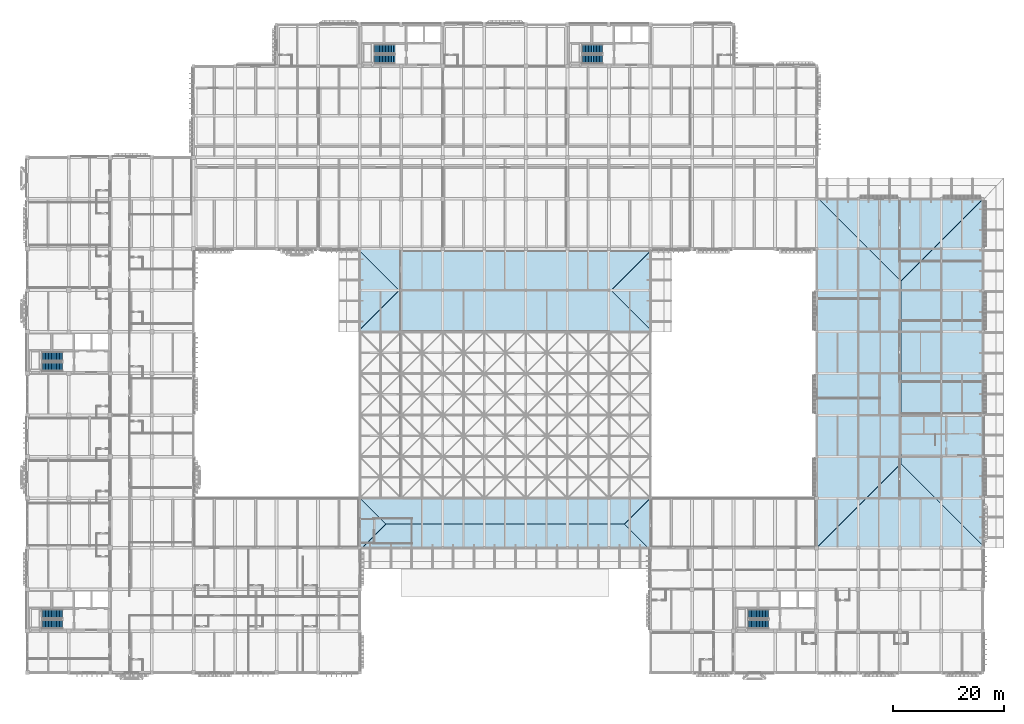
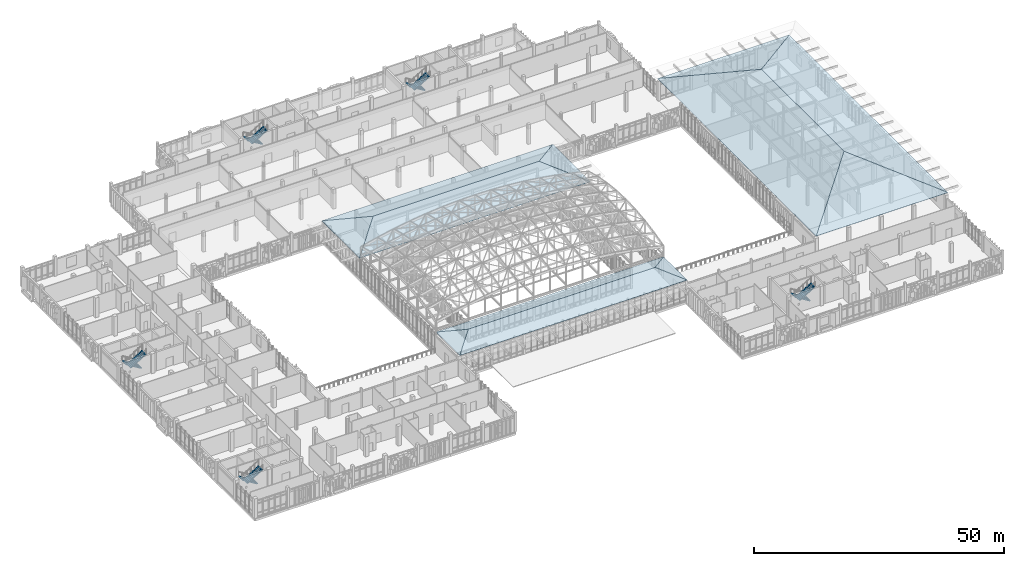
# One storey, part 111 of 131: 12 roofs, 10 stair flights, 5 elements without a shape of their own.
"""IFC4 building model written with IfcOpenShell, lengths in metres."""

from ifc_helpers import new_model, si_unit, direction, frame, origin, place, context, subcontext, project, spatial, polyline, outline, extrude, material, layer, layer_set, type_object, element, aggregate, save


model = new_model("IFC4")

# Units and contexts
model_context = context("Model", 3, precision=1e-05, world=origin(), true_north=direction((0.0, 1.0)))
body_context = subcontext(model_context, "Body", "Model", "MODEL_VIEW")
ifc_project = project(units=[si_unit("LENGTHUNIT", "METRE"), si_unit("AREAUNIT", "SQUARE_METRE"), si_unit("VOLUMEUNIT", "CUBIC_METRE"), si_unit("PLANEANGLEUNIT", "RADIAN"), si_unit("MASSUNIT", "GRAM", prefix="KILO")], contexts=[model_context])

# Site, building, storey
site_placement = place(None, origin())
site = spatial("IfcSite", under=ifc_project, at=site_placement, CompositionType="ELEMENT")
building_placement = place(site_placement, origin())
building = spatial("IfcBuilding", under=site, at=building_placement, Name="Dalvernix Boulevard General Hospital", CompositionType="ELEMENT")
storey_placement = place(building_placement, frame((0.0, 0.0, 9.300048828125)))
storey = spatial("IfcBuildingStorey", under=building, at=storey_placement, Name="L02", CompositionType="ELEMENT", Elevation=9.300048828125)

# Stair, stair flights
ifc_material_1 = material(Name="Precast concrete C40/50", Category="concrete")
stair_type = type_object("IfcStairType", Name="IFCSTAIR-STC-165x480", PredefinedType="HALF_TURN_STAIR", material=ifc_material_1)
stair_1_placement = place(storey_placement, origin())
stair_1 = element("IfcStair", 1, at=stair_1_placement, inside=storey, type_object=stair_type, Name="L02 Core C1 Exit Stair ST-01", PredefinedType="HALF_TURN_STAIR")
stair_flight_type = type_object("IfcStairFlightType", Name="IFCSTAIRFLIGHT-STF-165x480", PredefinedType="STRAIGHT", material=ifc_material_1)
stair_flight_1_placement = place(storey_placement, frame((6.35009765625, 10.574951171875, 0.0), z_axis=(0.0, 0.0, 1.0), x_axis=(-1.0, 0.0, 0.0)))
stair_flight_1 = element("IfcStairFlight", 2, at=stair_flight_1_placement, type_object=stair_flight_type, Name="ST-01 flight 1", NumberOfRisers=14, NumberOfTreads=13, PredefinedType="STRAIGHT", RiserHeight=0.171428571, TreadLength=0.28, context=body_context, shape_type="SweptSolid", body=[
    extrude(outline(polyline([(0.0, 0.0), (0.0, 0.17138671875), (0.280029296875, 0.17138671875), (0.280029296875, 0.3427734375), (0.56005859375, 0.3427734375), (0.56005859375, 0.514404296875), (0.840087890625, 0.514404296875), (0.840087890625, 0.685791015625), (1.1201171875, 0.685791015625), (1.1201171875, 0.857177734375), (1.39990234375, 0.857177734375), (1.39990234375, 1.028564453125), (1.679931640625, 1.028564453125), (1.679931640625, 1.199951171875), (1.9599609375, 1.199951171875), (1.9599609375, 1.371337890625), (2.239990234375, 1.371337890625), (2.239990234375, 1.54296875), (2.52001953125, 1.54296875), (2.52001953125, 1.71435546875), (2.800048828125, 1.71435546875), (2.800048828125, 1.8857421875), (3.080078125, 1.8857421875), (3.080078125, 2.05712890625), (3.360107421875, 2.05712890625), (3.360107421875, 2.228515625), (3.639892578125, 2.228515625), (3.639892578125, 2.39990234375), (3.639892578125, 2.052734375), (0.287109375, 0.0), (0.0, 0.0)])), frame((0.0, 0.824951171875, 0.0), z_axis=(0.0, -1.0, 0.0), x_axis=(1.0, 0.0, 0.0)), (0.0, 0.0, 1.0), 1.64990234375),
])
stair_flight_2_placement = place(storey_placement, frame((2.7099609375, 8.72509765625, 2.39990234375), z_axis=(0.0, 0.0, 1.0), x_axis=(1.0, 0.0, 0.0)))
stair_flight_2 = element("IfcStairFlight", 3, at=stair_flight_2_placement, type_object=stair_flight_type, Name="ST-01 flight 2", NumberOfRisers=14, NumberOfTreads=13, PredefinedType="STRAIGHT", RiserHeight=0.171428571, TreadLength=0.28, context=body_context, shape_type="SweptSolid", body=[
    extrude(outline(polyline([(0.0, 0.0), (0.0, 0.17138671875), (0.280029296875, 0.17138671875), (0.280029296875, 0.3427734375), (0.56005859375, 0.3427734375), (0.56005859375, 0.514404296875), (0.840087890625, 0.514404296875), (0.840087890625, 0.685791015625), (1.1201171875, 0.685791015625), (1.1201171875, 0.857177734375), (1.39990234375, 0.857177734375), (1.39990234375, 1.028564453125), (1.679931640625, 1.028564453125), (1.679931640625, 1.199951171875), (1.9599609375, 1.199951171875), (1.9599609375, 1.371337890625), (2.239990234375, 1.371337890625), (2.239990234375, 1.54296875), (2.52001953125, 1.54296875), (2.52001953125, 1.71435546875), (2.800048828125, 1.71435546875), (2.800048828125, 1.8857421875), (3.080078125, 1.8857421875), (3.080078125, 2.05712890625), (3.360107421875, 2.05712890625), (3.360107421875, 2.228515625), (3.639892578125, 2.228515625), (3.639892578125, 2.39990234375), (3.639892578125, 2.052734375), (0.287109375, 0.0), (0.0, 0.0)])), frame((0.0, 0.824951171875, 0.0), z_axis=(0.0, -1.0, 0.0), x_axis=(1.0, 0.0, 0.0)), (0.0, 0.0, 1.0), 1.64990234375),
])
aggregate(stair_1, [stair_flight_1, stair_flight_2])

stair_2_placement = place(storey_placement, origin())
stair_2 = element("IfcStair", 4, at=stair_2_placement, inside=storey, type_object=stair_type, Name="L02 Core C2 Exit Stair ST-02", PredefinedType="HALF_TURN_STAIR")
stair_flight_3_placement = place(storey_placement, frame((6.35009765625, 57.074951171875, 0.0), z_axis=(0.0, 0.0, 1.0), x_axis=(-1.0, 0.0, 0.0)))
stair_flight_3 = element("IfcStairFlight", 5, at=stair_flight_3_placement, type_object=stair_flight_type, Name="ST-02 flight 1", NumberOfRisers=14, NumberOfTreads=13, PredefinedType="STRAIGHT", RiserHeight=0.171428571, TreadLength=0.28, context=body_context, shape_type="SweptSolid", body=[
    extrude(outline(polyline([(0.0, 0.0), (0.0, 0.17138671875), (0.280029296875, 0.17138671875), (0.280029296875, 0.3427734375), (0.56005859375, 0.3427734375), (0.56005859375, 0.514404296875), (0.840087890625, 0.514404296875), (0.840087890625, 0.685791015625), (1.1201171875, 0.685791015625), (1.1201171875, 0.857177734375), (1.39990234375, 0.857177734375), (1.39990234375, 1.028564453125), (1.679931640625, 1.028564453125), (1.679931640625, 1.199951171875), (1.9599609375, 1.199951171875), (1.9599609375, 1.371337890625), (2.239990234375, 1.371337890625), (2.239990234375, 1.54296875), (2.52001953125, 1.54296875), (2.52001953125, 1.71435546875), (2.800048828125, 1.71435546875), (2.800048828125, 1.8857421875), (3.080078125, 1.8857421875), (3.080078125, 2.05712890625), (3.360107421875, 2.05712890625), (3.360107421875, 2.228515625), (3.639892578125, 2.228515625), (3.639892578125, 2.39990234375), (3.639892578125, 2.052734375), (0.287109375, 0.0), (0.0, 0.0)])), frame((0.0, 0.824951171875, 0.0), z_axis=(0.0, -1.0, 0.0), x_axis=(1.0, 0.0, 0.0)), (0.0, 0.0, 1.0), 1.64990234375),
])
stair_flight_4_placement = place(storey_placement, frame((2.7099609375, 55.22509765625, 2.39990234375), z_axis=(0.0, 0.0, 1.0), x_axis=(1.0, 0.0, 0.0)))
stair_flight_4 = element("IfcStairFlight", 6, at=stair_flight_4_placement, type_object=stair_flight_type, Name="ST-02 flight 2", NumberOfRisers=14, NumberOfTreads=13, PredefinedType="STRAIGHT", RiserHeight=0.171428571, TreadLength=0.28, context=body_context, shape_type="SweptSolid", body=[
    extrude(outline(polyline([(0.0, 0.0), (0.0, 0.17138671875), (0.280029296875, 0.17138671875), (0.280029296875, 0.3427734375), (0.56005859375, 0.3427734375), (0.56005859375, 0.514404296875), (0.840087890625, 0.514404296875), (0.840087890625, 0.685791015625), (1.1201171875, 0.685791015625), (1.1201171875, 0.857177734375), (1.39990234375, 0.857177734375), (1.39990234375, 1.028564453125), (1.679931640625, 1.028564453125), (1.679931640625, 1.199951171875), (1.9599609375, 1.199951171875), (1.9599609375, 1.371337890625), (2.239990234375, 1.371337890625), (2.239990234375, 1.54296875), (2.52001953125, 1.54296875), (2.52001953125, 1.71435546875), (2.800048828125, 1.71435546875), (2.800048828125, 1.8857421875), (3.080078125, 1.8857421875), (3.080078125, 2.05712890625), (3.360107421875, 2.05712890625), (3.360107421875, 2.228515625), (3.639892578125, 2.228515625), (3.639892578125, 2.39990234375), (3.639892578125, 2.052734375), (0.287109375, 0.0), (0.0, 0.0)])), frame((0.0, 0.824951171875, 0.0), z_axis=(0.0, -1.0, 0.0), x_axis=(1.0, 0.0, 0.0)), (0.0, 0.0, 1.0), 1.64990234375),
])
aggregate(stair_2, [stair_flight_3, stair_flight_4])

stair_3_placement = place(storey_placement, origin())
stair_3 = element("IfcStair", 7, at=stair_3_placement, inside=storey, type_object=stair_type, Name="L02 Core C3 Exit Stair ST-03", PredefinedType="HALF_TURN_STAIR")
stair_flight_5_placement = place(storey_placement, frame((66.35009765625, 112.574951171875, 0.0), z_axis=(0.0, 0.0, 1.0), x_axis=(-1.0, 0.0, 0.0)))
stair_flight_5 = element("IfcStairFlight", 8, at=stair_flight_5_placement, type_object=stair_flight_type, Name="ST-03 flight 1", NumberOfRisers=14, NumberOfTreads=13, PredefinedType="STRAIGHT", RiserHeight=0.171428571, TreadLength=0.28, context=body_context, shape_type="SweptSolid", body=[
    extrude(outline(polyline([(0.0, 0.0), (0.0, 0.17138671875), (0.280029296875, 0.17138671875), (0.280029296875, 0.3427734375), (0.56005859375, 0.3427734375), (0.56005859375, 0.514404296875), (0.840087890625, 0.514404296875), (0.840087890625, 0.685791015625), (1.1201171875, 0.685791015625), (1.1201171875, 0.857177734375), (1.39990234375, 0.857177734375), (1.39990234375, 1.028564453125), (1.679931640625, 1.028564453125), (1.679931640625, 1.199951171875), (1.9599609375, 1.199951171875), (1.9599609375, 1.371337890625), (2.239990234375, 1.371337890625), (2.239990234375, 1.54296875), (2.52001953125, 1.54296875), (2.52001953125, 1.71435546875), (2.800048828125, 1.71435546875), (2.800048828125, 1.8857421875), (3.080078125, 1.8857421875), (3.080078125, 2.05712890625), (3.360107421875, 2.05712890625), (3.360107421875, 2.228515625), (3.639892578125, 2.228515625), (3.639892578125, 2.39990234375), (3.639892578125, 2.052734375), (0.287109375, 0.0), (0.0, 0.0)])), frame((0.0, 0.824951171875, 0.0), z_axis=(0.0, -1.0, 0.0), x_axis=(1.0, 0.0, 0.0)), (0.0, 0.0, 1.0), 1.64990234375),
])
stair_flight_6_placement = place(storey_placement, frame((62.7099609375, 110.72509765625, 2.39990234375), z_axis=(0.0, 0.0, 1.0), x_axis=(1.0, 0.0, 0.0)))
stair_flight_6 = element("IfcStairFlight", 9, at=stair_flight_6_placement, type_object=stair_flight_type, Name="ST-03 flight 2", NumberOfRisers=14, NumberOfTreads=13, PredefinedType="STRAIGHT", RiserHeight=0.171428571, TreadLength=0.28, context=body_context, shape_type="SweptSolid", body=[
    extrude(outline(polyline([(0.0, 0.0), (0.0, 0.17138671875), (0.280029296875, 0.17138671875), (0.280029296875, 0.3427734375), (0.56005859375, 0.3427734375), (0.56005859375, 0.514404296875), (0.840087890625, 0.514404296875), (0.840087890625, 0.685791015625), (1.1201171875, 0.685791015625), (1.1201171875, 0.857177734375), (1.39990234375, 0.857177734375), (1.39990234375, 1.028564453125), (1.679931640625, 1.028564453125), (1.679931640625, 1.199951171875), (1.9599609375, 1.199951171875), (1.9599609375, 1.371337890625), (2.239990234375, 1.371337890625), (2.239990234375, 1.54296875), (2.52001953125, 1.54296875), (2.52001953125, 1.71435546875), (2.800048828125, 1.71435546875), (2.800048828125, 1.8857421875), (3.080078125, 1.8857421875), (3.080078125, 2.05712890625), (3.360107421875, 2.05712890625), (3.360107421875, 2.228515625), (3.639892578125, 2.228515625), (3.639892578125, 2.39990234375), (3.639892578125, 2.052734375), (0.287109375, 0.0), (0.0, 0.0)])), frame((0.0, 0.824951171875, 0.0), z_axis=(0.0, -1.0, 0.0), x_axis=(1.0, 0.0, 0.0)), (0.0, 0.0, 1.0), 1.64990234375),
])
aggregate(stair_3, [stair_flight_5, stair_flight_6])

stair_4_placement = place(storey_placement, origin())
stair_4 = element("IfcStair", 10, at=stair_4_placement, inside=storey, type_object=stair_type, Name="L02 Core C4 Exit Stair ST-04", PredefinedType="HALF_TURN_STAIR")
stair_flight_7_placement = place(storey_placement, frame((103.85009765625, 112.574951171875, 0.0), z_axis=(0.0, 0.0, 1.0), x_axis=(-1.0, 0.0, 0.0)))
stair_flight_7 = element("IfcStairFlight", 11, at=stair_flight_7_placement, type_object=stair_flight_type, Name="ST-04 flight 1", NumberOfRisers=14, NumberOfTreads=13, PredefinedType="STRAIGHT", RiserHeight=0.171428571, TreadLength=0.28, context=body_context, shape_type="SweptSolid", body=[
    extrude(outline(polyline([(0.0, 0.0), (0.0, 0.17138671875), (0.280029296875, 0.17138671875), (0.280029296875, 0.3427734375), (0.56005859375, 0.3427734375), (0.56005859375, 0.514404296875), (0.840087890625, 0.514404296875), (0.840087890625, 0.685791015625), (1.1201171875, 0.685791015625), (1.1201171875, 0.857177734375), (1.39990234375, 0.857177734375), (1.39990234375, 1.028564453125), (1.679931640625, 1.028564453125), (1.679931640625, 1.199951171875), (1.9599609375, 1.199951171875), (1.9599609375, 1.371337890625), (2.239990234375, 1.371337890625), (2.239990234375, 1.54296875), (2.52001953125, 1.54296875), (2.52001953125, 1.71435546875), (2.800048828125, 1.71435546875), (2.800048828125, 1.8857421875), (3.080078125, 1.8857421875), (3.080078125, 2.05712890625), (3.360107421875, 2.05712890625), (3.360107421875, 2.228515625), (3.639892578125, 2.228515625), (3.639892578125, 2.39990234375), (3.639892578125, 2.052734375), (0.287109375, 0.0), (0.0, 0.0)])), frame((0.0, 0.824951171875, 0.0), z_axis=(0.0, -1.0, 0.0), x_axis=(1.0, 0.0, 0.0)), (0.0, 0.0, 1.0), 1.64990234375),
])
stair_flight_8_placement = place(storey_placement, frame((100.2099609375, 110.72509765625, 2.39990234375), z_axis=(0.0, 0.0, 1.0), x_axis=(1.0, 0.0, 0.0)))
stair_flight_8 = element("IfcStairFlight", 12, at=stair_flight_8_placement, type_object=stair_flight_type, Name="ST-04 flight 2", NumberOfRisers=14, NumberOfTreads=13, PredefinedType="STRAIGHT", RiserHeight=0.171428571, TreadLength=0.28, context=body_context, shape_type="SweptSolid", body=[
    extrude(outline(polyline([(0.0, 0.0), (0.0, 0.17138671875), (0.280029296875, 0.17138671875), (0.280029296875, 0.3427734375), (0.56005859375, 0.3427734375), (0.56005859375, 0.514404296875), (0.840087890625, 0.514404296875), (0.840087890625, 0.685791015625), (1.1201171875, 0.685791015625), (1.1201171875, 0.857177734375), (1.39990234375, 0.857177734375), (1.39990234375, 1.028564453125), (1.679931640625, 1.028564453125), (1.679931640625, 1.199951171875), (1.9599609375, 1.199951171875), (1.9599609375, 1.371337890625), (2.239990234375, 1.371337890625), (2.239990234375, 1.54296875), (2.52001953125, 1.54296875), (2.52001953125, 1.71435546875), (2.800048828125, 1.71435546875), (2.800048828125, 1.8857421875), (3.080078125, 1.8857421875), (3.080078125, 2.05712890625), (3.360107421875, 2.05712890625), (3.360107421875, 2.228515625), (3.639892578125, 2.228515625), (3.639892578125, 2.39990234375), (3.639892578125, 2.052734375), (0.287109375, 0.0), (0.0, 0.0)])), frame((0.0, 0.824951171875, 0.0), z_axis=(0.0, -1.0, 0.0), x_axis=(1.0, 0.0, 0.0)), (0.0, 0.0, 1.0), 1.64990234375),
])
aggregate(stair_4, [stair_flight_7, stair_flight_8])

stair_5_placement = place(storey_placement, origin())
stair_5 = element("IfcStair", 13, at=stair_5_placement, inside=storey, type_object=stair_type, Name="L02 Core C5 Exit Stair ST-05", PredefinedType="HALF_TURN_STAIR")
stair_flight_9_placement = place(storey_placement, frame((133.85009765625, 10.574951171875, 0.0), z_axis=(0.0, 0.0, 1.0), x_axis=(-1.0, 0.0, 0.0)))
stair_flight_9 = element("IfcStairFlight", 14, at=stair_flight_9_placement, type_object=stair_flight_type, Name="ST-05 flight 1", NumberOfRisers=14, NumberOfTreads=13, PredefinedType="STRAIGHT", RiserHeight=0.171428571, TreadLength=0.28, context=body_context, shape_type="SweptSolid", body=[
    extrude(outline(polyline([(0.0, 0.0), (0.0, 0.17138671875), (0.280029296875, 0.17138671875), (0.280029296875, 0.3427734375), (0.56005859375, 0.3427734375), (0.56005859375, 0.514404296875), (0.840087890625, 0.514404296875), (0.840087890625, 0.685791015625), (1.1201171875, 0.685791015625), (1.1201171875, 0.857177734375), (1.39990234375, 0.857177734375), (1.39990234375, 1.028564453125), (1.679931640625, 1.028564453125), (1.679931640625, 1.199951171875), (1.9599609375, 1.199951171875), (1.9599609375, 1.371337890625), (2.239990234375, 1.371337890625), (2.239990234375, 1.54296875), (2.52001953125, 1.54296875), (2.52001953125, 1.71435546875), (2.800048828125, 1.71435546875), (2.800048828125, 1.8857421875), (3.080078125, 1.8857421875), (3.080078125, 2.05712890625), (3.360107421875, 2.05712890625), (3.360107421875, 2.228515625), (3.639892578125, 2.228515625), (3.639892578125, 2.39990234375), (3.639892578125, 2.052734375), (0.287109375, 0.0), (0.0, 0.0)])), frame((0.0, 0.824951171875, 0.0), z_axis=(0.0, -1.0, 0.0), x_axis=(1.0, 0.0, 0.0)), (0.0, 0.0, 1.0), 1.64990234375),
])
stair_flight_10_placement = place(storey_placement, frame((130.2099609375, 8.72509765625, 2.39990234375), z_axis=(0.0, 0.0, 1.0), x_axis=(1.0, 0.0, 0.0)))
stair_flight_10 = element("IfcStairFlight", 15, at=stair_flight_10_placement, type_object=stair_flight_type, Name="ST-05 flight 2", NumberOfRisers=14, NumberOfTreads=13, PredefinedType="STRAIGHT", RiserHeight=0.171428571, TreadLength=0.28, context=body_context, shape_type="SweptSolid", body=[
    extrude(outline(polyline([(0.0, 0.0), (0.0, 0.17138671875), (0.280029296875, 0.17138671875), (0.280029296875, 0.3427734375), (0.56005859375, 0.3427734375), (0.56005859375, 0.514404296875), (0.840087890625, 0.514404296875), (0.840087890625, 0.685791015625), (1.1201171875, 0.685791015625), (1.1201171875, 0.857177734375), (1.39990234375, 0.857177734375), (1.39990234375, 1.028564453125), (1.679931640625, 1.028564453125), (1.679931640625, 1.199951171875), (1.9599609375, 1.199951171875), (1.9599609375, 1.371337890625), (2.239990234375, 1.371337890625), (2.239990234375, 1.54296875), (2.52001953125, 1.54296875), (2.52001953125, 1.71435546875), (2.800048828125, 1.71435546875), (2.800048828125, 1.8857421875), (3.080078125, 1.8857421875), (3.080078125, 2.05712890625), (3.360107421875, 2.05712890625), (3.360107421875, 2.228515625), (3.639892578125, 2.228515625), (3.639892578125, 2.39990234375), (3.639892578125, 2.052734375), (0.287109375, 0.0), (0.0, 0.0)])), frame((0.0, 0.824951171875, 0.0), z_axis=(0.0, -1.0, 0.0), x_axis=(1.0, 0.0, 0.0)), (0.0, 0.0, 1.0), 1.64990234375),
])
aggregate(stair_5, [stair_flight_9, stair_flight_10])

# Roofs
ifc_material_2 = material(Name="Glazed Catalan terracotta roof tile on timber boarding", Category="masonry")
ifc_layer = layer(ifc_material_2, 0.1201171875)
ifc_layer_set = layer_set([ifc_layer], Name="Glazed Catalan terracotta roof tile on timber boarding (ROOF-UPT-01)")
roof_type = type_object("IfcRoofType", Name="ROOF-UPT-01", PredefinedType="HIP_ROOF", material=ifc_layer_set)
for number, where, z_axis, x_axis, name in (
    (16, (60.0, 22.10009765625, 5.079833984375), (0.0, -0.375644765498, 0.926763729412), (1.0, 0.0, 0.0), "V1S steep Catalan terracotta hipped roof S"),
    (17, (112.5, 31.5, 5.079833984375), (0.0, 0.375644765498, 0.926763729412), (-1.0, 0.0, 0.0), "V1S steep Catalan terracotta hipped roof N"),
):
    element("IfcRoof", number, at=place(storey_placement, frame(where, z_axis=z_axis, x_axis=x_axis)), inside=storey, type_object=roof_type, Name=name, PredefinedType="HIP_ROOF", context=body_context, shape_type="SweptSolid", body=[
        extrude(outline(polyline([(0.0, 0.0), (52.5, 0.0), (47.800048828125, 5.071358559593399), (4.699951171875, 5.071358559593399), (0.0, 0.0)])), origin(), (0.0, 0.0, -1.0), 0.1201171875),
    ])
for number, where, z_axis, x_axis, name in (
    (18, (60.0, 31.5, 5.079833984375), (-0.375644765498, 0.0, 0.926763729412), (0.0, -1.0, 0.0), "V1S steep Catalan terracotta hipped roof W"),
    (19, (112.5, 22.10009765625, 5.079833984375), (0.375644765498, 0.0, 0.926763729412), (0.0, 1.0, 0.0), "V1S steep Catalan terracotta hipped roof E"),
):
    element("IfcRoof", number, at=place(storey_placement, frame(where, z_axis=z_axis, x_axis=x_axis)), inside=storey, type_object=roof_type, Name=name, PredefinedType="HIP_ROOF", context=body_context, shape_type="SweptSolid", body=[
        extrude(outline(polyline([(0.0, 0.0), (9.39990234375, 0.0), (4.699951171875, 5.071358559593399), (0.0, 0.0)])), origin(), (0.0, 0.0, -1.0), 0.1201171875),
    ])
for number, where, z_axis, x_axis, name in (
    (20, (59.60009765625, 61.5, 5.079833984375), (0.0, -0.375625976992, 0.926771344728), (1.0, 0.0, 0.0), "V1N steep Catalan terracotta hipped roof S"),
    (21, (112.89990234375, 76.5, 5.079833984375), (0.0, 0.375625976992, 0.926771344728), (-1.0, 0.0, 0.0), "V1N steep Catalan terracotta hipped roof N"),
):
    element("IfcRoof", number, at=place(storey_placement, frame(where, z_axis=z_axis, x_axis=x_axis)), inside=storey, type_object=roof_type, Name=name, PredefinedType="HIP_ROOF", context=body_context, shape_type="SweptSolid", body=[
        extrude(outline(polyline([(0.0, 0.0), (53.2998046875, 0.0), (45.7998046875, 8.09261102284405), (7.5, 8.09261102284405), (0.0, 0.0)])), origin(), (0.0, 0.0, -1.0), 0.1201171875),
    ])
for number, where, z_axis, x_axis, name in (
    (22, (59.60009765625, 76.5, 5.079833984375), (-0.375625976992, 0.0, 0.926771344728), (0.0, -1.0, 0.0), "V1N steep Catalan terracotta hipped roof W"),
    (23, (112.89990234375, 61.5, 5.079833984375), (0.375625976992, 0.0, 0.926771344728), (0.0, 1.0, 0.0), "V1N steep Catalan terracotta hipped roof E"),
):
    element("IfcRoof", number, at=place(storey_placement, frame(where, z_axis=z_axis, x_axis=x_axis)), inside=storey, type_object=roof_type, Name=name, PredefinedType="HIP_ROOF", context=body_context, shape_type="SweptSolid", body=[
        extrude(outline(polyline([(0.0, 0.0), (15.0, 0.0), (7.5, 8.092611022844052), (0.0, 0.0)])), origin(), (0.0, 0.0, -1.0), 0.1201171875),
    ])
for number, where, z_axis, x_axis, name in (
    (24, (142.5, 85.89990234375, 5.079833984375), (-0.375613886915, 0.0, 0.926776244817), (0.0, -1.0, 0.0), "V2 steep Catalan terracotta hipped roof W"),
    (25, (172.89990234375, 22.5, 5.079833984375), (0.375613886915, 0.0, 0.926776244817), (0.0, 1.0, 0.0), "V2 steep Catalan terracotta hipped roof E"),
):
    element("IfcRoof", number, at=place(storey_placement, frame(where, z_axis=z_axis, x_axis=x_axis)), inside=storey, type_object=roof_type, Name=name, PredefinedType="HIP_ROOF", context=body_context, shape_type="SweptSolid", body=[
        extrude(outline(polyline([(0.0, 0.0), (63.39990234375, 0.0), (48.199951171875, 16.400885604143358), (15.199951171875, 16.400885604143358), (0.0, 0.0)])), origin(), (0.0, 0.0, -1.0), 0.1201171875),
    ])
for number, where, z_axis, x_axis, name in (
    (26, (142.5, 22.5, 5.079833984375), (0.0, -0.375613886915, 0.926776244817), (1.0, 0.0, 0.0), "V2 steep Catalan terracotta hipped roof S"),
    (27, (172.89990234375, 85.89990234375, 5.079833984375), (0.0, 0.375613886915, 0.926776244817), (-1.0, 0.0, 0.0), "V2 steep Catalan terracotta hipped roof N"),
):
    element("IfcRoof", number, at=place(storey_placement, frame(where, z_axis=z_axis, x_axis=x_axis)), inside=storey, type_object=roof_type, Name=name, PredefinedType="HIP_ROOF", context=body_context, shape_type="SweptSolid", body=[
        extrude(outline(polyline([(0.0, 0.0), (30.39990234375, 0.0), (15.199951171875, 16.400885604143358), (0.0, 0.0)])), origin(), (0.0, 0.0, -1.0), 0.1201171875),
    ])

save(model, "model.ifc")
